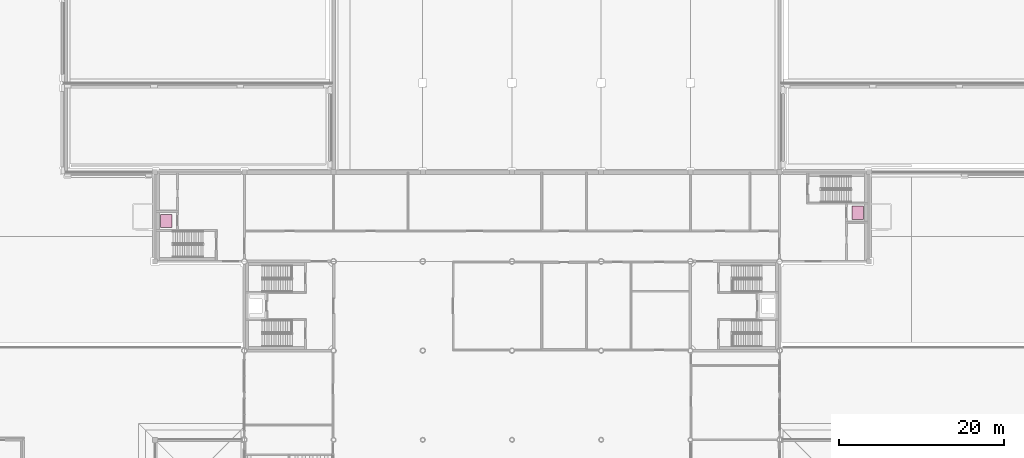
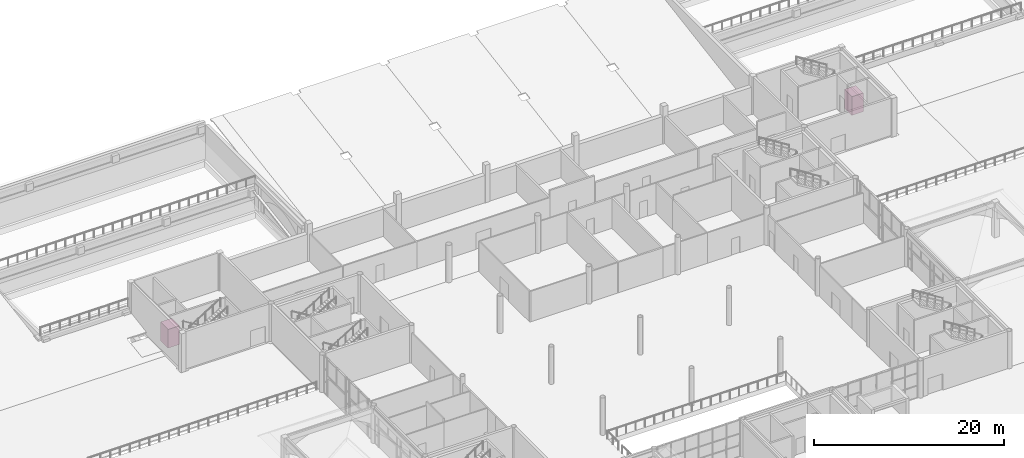
# One storey, part 91 of 91: 2 transport elements.
"""IFC4 building model written with IfcOpenShell, lengths in metres."""

from ifc_helpers import new_model, si_unit, direction, frame, origin, origin_2d, place, context, subcontext, project, spatial, rectangle, extrude, material, type_object, element, save


model = new_model("IFC4")

# Units and contexts
model_context = context("Model", 3, precision=1e-05, world=origin(), true_north=direction((0.0, 1.0)))
body_context = subcontext(model_context, "Body", "Model", "MODEL_VIEW")
ifc_project = project(units=[si_unit("LENGTHUNIT", "METRE"), si_unit("AREAUNIT", "SQUARE_METRE"), si_unit("VOLUMEUNIT", "CUBIC_METRE"), si_unit("PLANEANGLEUNIT", "RADIAN"), si_unit("MASSUNIT", "GRAM", prefix="KILO")], contexts=[model_context])

# Site, building, storey
site_placement = place(None, origin())
site = spatial("IfcSite", under=ifc_project, at=site_placement, CompositionType="ELEMENT")
building_placement = place(site_placement, origin())
building = spatial("IfcBuilding", under=site, at=building_placement, Name="Magnolia Steps Interchange", CompositionType="ELEMENT")
storey_placement = place(building_placement, origin())
storey = spatial("IfcBuildingStorey", under=building, at=storey_placement, Name="L00", CompositionType="ELEMENT", Elevation=0.0)

# Transport elements
ifc_material = material(Name="Stainless steel grade 304", Category="steel")
transport_element_type = type_object("IfcTransportElementType", Name="Passenger lift 1600x1400", PredefinedType="ELEVATOR", material=ifc_material)
for number, where, z_axis, x_axis, name in (
    (1, (43.75, 90.5, 0.0), (0.0, 0.0, 1.0), (0.0, 1.0, 0.0), "Lift LF13"),
    (2, (127.449951171875, 91.5, 0.0), (0.0, 0.0, 1.0), (0.0, -1.0, 0.0), "Lift LF14"),
):
    element("IfcTransportElement", number, at=place(storey_placement, frame(where, z_axis=z_axis, x_axis=x_axis)), inside=storey, type_object=transport_element_type, Name=name, PredefinedType="ELEVATOR", context=body_context, shape_type="SweptSolid", body=[
        extrude(rectangle(XDim=1.60009765625, YDim=1.39990234375, at=origin_2d()), origin(), (0.0, 0.0, 1.0), 2.39990234375),
    ])

save(model, "model.ifc")
